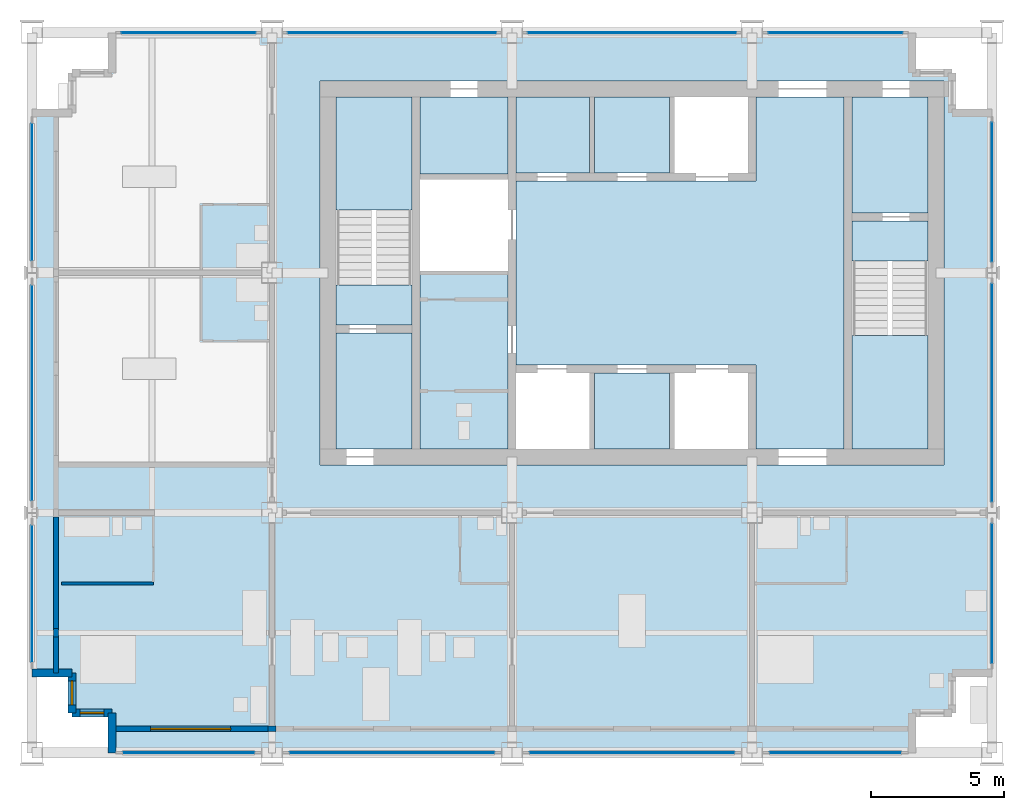
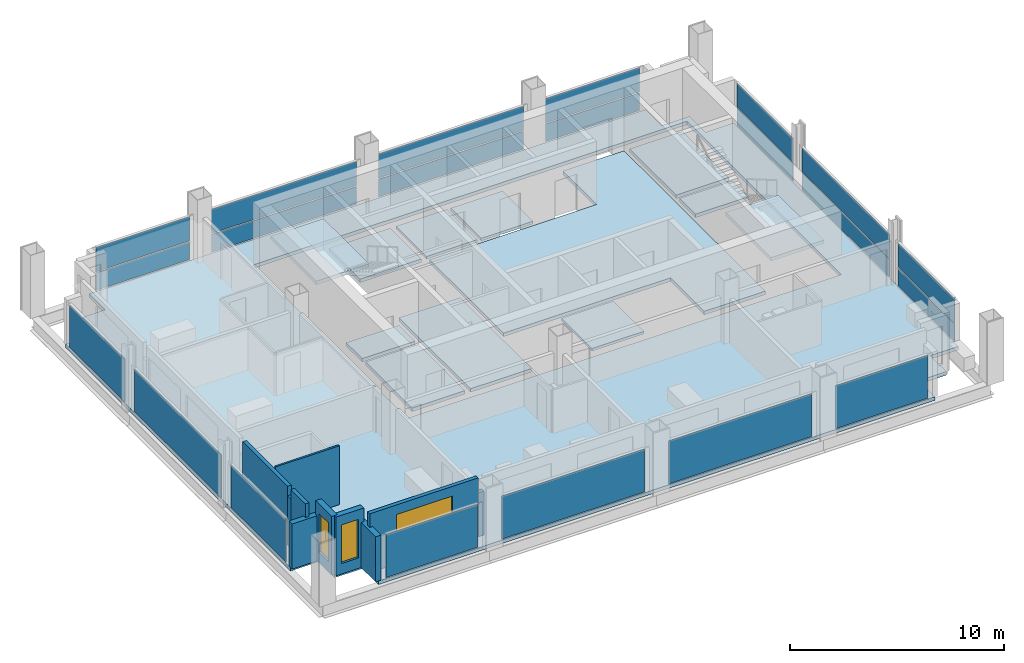
# One storey, part 5 of 11: 21 plates, 13 slabs, 10 walls, 3 windows, 3 openings, 16 elements without a shape of their own.
"""IFC4 building model written with IfcOpenShell, lengths in metres."""

from ifc_helpers import new_model, si_unit, direction, frame, frame_2d, origin, origin_2d, place, context, subcontext, project, spatial, polyline, rectangle, outline, extrude, material, layer, layer_set, type_object, element, fill, aggregate, save


model = new_model("IFC4")

# Units and contexts
model_context = context("Model", 3, precision=1e-05, world=origin(), true_north=direction((0.0, 1.0)))
body_context = subcontext(model_context, "Body", "Model", "MODEL_VIEW")
ifc_project = project(units=[si_unit("LENGTHUNIT", "METRE"), si_unit("AREAUNIT", "SQUARE_METRE"), si_unit("VOLUMEUNIT", "CUBIC_METRE"), si_unit("PLANEANGLEUNIT", "RADIAN"), si_unit("MASSUNIT", "GRAM", prefix="KILO")], contexts=[model_context])

# Site, building, storey
site_placement = place(None, origin())
site = spatial("IfcSite", under=ifc_project, at=site_placement, CompositionType="ELEMENT")
building_placement = place(site_placement, origin())
building = spatial("IfcBuilding", under=site, at=building_placement, Name="Loomwork Tower", CompositionType="ELEMENT")
storey_placement = place(building_placement, frame((0.0, 0.0, 266.199951171875)))
storey = spatial("IfcBuildingStorey", under=building, at=storey_placement, Name="L73", CompositionType="ELEMENT", Elevation=266.199951171875)

# Slabs
ifc_material_1 = material(Name="Concrete 5000 psi (34 MPa) on composite metal deck", Category="concrete")
ifc_layer_1 = layer(ifc_material_1, 0.199951171875)
ifc_layer_set_1 = layer_set([ifc_layer_1], Name="Floor slab 200")
slab_type_1 = type_object("IfcSlabType", Name="Floor slab 200", PredefinedType="FLOOR", material=ifc_layer_set_1)
slab_1_placement = place(storey_placement, frame((0.0, 0.0, -0.199951171875)))
element("IfcSlab", 1, at=slab_1_placement, inside=storey, type_object=slab_type_1, Name="Floor slab L73", PredefinedType="FLOOR", context=body_context, shape_type="SweptSolid", body=[
    extrude(outline(polyline([(3.0, 1.5), (1.5, 1.5), (1.5, 3.0), (0.0, 3.0), (0.0, 24.0), (1.5, 24.0), (1.5, 25.5), (3.0, 25.5), (3.0, 27.0), (33.0, 27.0), (33.0, 25.5), (34.5, 25.5), (34.5, 24.0), (36.0, 24.0), (36.0, 3.0), (34.5, 3.0), (34.5, 1.5), (33.0, 1.5), (33.0, 0.0), (3.0, 0.0), (3.0, 1.5)]), holes=[polyline([(10.800048828125, 11.39990234375), (10.800048828125, 11.39990234375), (10.800048828125, 10.800048828125), (34.199951171875, 10.800048828125), (34.199951171875, 11.39990234375), (34.199951171875, 11.39990234375), (34.199951171875, 24.60009765625), (34.199951171875, 25.199951171875), (10.800048828125, 25.199951171875), (10.800048828125, 24.60009765625), (10.800048828125, 11.39990234375)])]), origin(), (0.0, 0.0, 1.0), 0.199951171875),
])
slab_2_placement = place(storey_placement, frame((0.0, 0.0, -0.199951171875)))
element("IfcSlab", 2, at=slab_2_placement, inside=storey, type_object=slab_type_1, Name="Floor slab L73", PredefinedType="FLOOR", context=body_context, shape_type="SweptSolid", body=[
    extrude(outline(polyline([(30.449951171875, 24.60009765625), (30.449951171875, 11.39990234375), (27.14990234375, 11.39990234375), (27.14990234375, 14.25), (27.14990234375, 14.550048828125), (18.14990234375, 14.550048828125), (18.14990234375, 21.449951171875), (27.14990234375, 21.449951171875), (27.14990234375, 21.75), (27.14990234375, 24.60009765625), (30.449951171875, 24.60009765625)])), origin(), (0.0, 0.0, 1.0), 0.199951171875),
])
slab_3_placement = place(storey_placement, frame((0.0, 0.0, -0.199951171875)))
element("IfcSlab", 3, at=slab_3_placement, inside=storey, type_object=slab_type_1, Name="Floor slab L73", PredefinedType="FLOOR", context=body_context, shape_type="SweptSolid", body=[
    extrude(outline(polyline([(14.550048828125, 11.39990234375), (14.550048828125, 18.074951171875), (17.85009765625, 18.074951171875), (17.85009765625, 11.39990234375), (14.550048828125, 11.39990234375)])), origin(), (0.0, 0.0, 1.0), 0.199951171875),
])
slab_4_placement = place(storey_placement, frame((0.0, 0.0, -0.199951171875)))
element("IfcSlab", 4, at=slab_4_placement, inside=storey, type_object=slab_type_1, Name="Floor slab L73", PredefinedType="FLOOR", context=body_context, shape_type="SweptSolid", body=[
    extrude(outline(polyline([(33.60009765625, 20.25), (30.75, 20.25), (30.75, 24.60009765625), (33.60009765625, 24.60009765625), (33.60009765625, 20.25)])), origin(), (0.0, 0.0, 1.0), 0.199951171875),
])
slab_5_placement = place(storey_placement, frame((0.0, 0.0, -0.199951171875)))
element("IfcSlab", 5, at=slab_5_placement, inside=storey, type_object=slab_type_1, Name="Floor slab L73", PredefinedType="FLOOR", context=body_context, shape_type="SweptSolid", body=[
    extrude(outline(polyline([(14.25, 15.75), (14.25, 11.39990234375), (11.39990234375, 11.39990234375), (11.39990234375, 15.75), (14.25, 15.75)])), origin(), (0.0, 0.0, 1.0), 0.199951171875),
])
slab_6_placement = place(storey_placement, frame((0.0, 0.0, -0.199951171875)))
element("IfcSlab", 6, at=slab_6_placement, inside=storey, type_object=slab_type_1, Name="Floor slab L73", PredefinedType="FLOOR", context=body_context, shape_type="SweptSolid", body=[
    extrude(outline(polyline([(14.550048828125, 21.699951171875), (14.550048828125, 24.60009765625), (17.85009765625, 24.60009765625), (17.85009765625, 21.699951171875), (14.550048828125, 21.699951171875)])), origin(), (0.0, 0.0, 1.0), 0.199951171875),
])

# Curtain wall, plate
ifc_material_2 = material(Name="Aluminium curtain wall frame", Category="aluminium")
curtain_wall_type_1 = type_object("IfcCurtainWallType", Name="Outer skin glazing suites", PredefinedType="NOTDEFINED", material=ifc_material_2)
curtain_wall_1_placement = place(storey_placement, origin())
curtain_wall_1 = element("IfcCurtainWall", 7, at=curtain_wall_1_placement, inside=storey, type_object=curtain_wall_type_1, Name="Outer skin glazing suites cw/S-0", PredefinedType="NOTDEFINED")
ifc_material_3 = material(Name="Clear laminated glass", Category="glass")
ifc_layer_2 = layer(ifc_material_3, 0.02392578125)
ifc_layer_set_2 = layer_set([ifc_layer_2], Name="Outer skin glazing suites panel")
plate_type_1 = type_object("IfcPlateType", Name="Outer skin glazing suites panel", PredefinedType="CURTAIN_PANEL", material=ifc_layer_set_2)
plate_1_placement = place(storey_placement, frame((5.875, 0.0, 0.06494140625), z_axis=(0.0, 0.0, 1.0), x_axis=(1.0, 0.0, 0.0)))
plate_1 = element("IfcPlate", 8, at=plate_1_placement, type_object=plate_type_1, Name="CW2 panel 1.1", PredefinedType="CURTAIN_PANEL", context=body_context, shape_type="SweptSolid", body=[
    extrude(rectangle(XDim=4.949951171875, YDim=0.02392578125, at=origin_2d()), origin(), (0.0, 0.0, 1.0), 2.440185546875),
])
aggregate(curtain_wall_1, [plate_1])

curtain_wall_2_placement = place(storey_placement, origin())
curtain_wall_2 = element("IfcCurtainWall", 9, at=curtain_wall_2_placement, inside=storey, type_object=curtain_wall_type_1, Name="Outer skin glazing suites cw/S-9", PredefinedType="NOTDEFINED")
plate_2_placement = place(storey_placement, frame((13.5, 0.0, 0.06494140625), z_axis=(0.0, 0.0, 1.0), x_axis=(1.0, 0.0, 0.0)))
plate_2 = element("IfcPlate", 10, at=plate_2_placement, type_object=plate_type_1, Name="CW2 panel 1.1", PredefinedType="CURTAIN_PANEL", context=body_context, shape_type="SweptSolid", body=[
    extrude(rectangle(XDim=7.699951171875, YDim=0.02392578125, at=origin_2d()), origin(), (0.0, 0.0, 1.0), 2.440185546875),
])
aggregate(curtain_wall_2, [plate_2])

curtain_wall_3_placement = place(storey_placement, origin())
curtain_wall_3 = element("IfcCurtainWall", 11, at=curtain_wall_3_placement, inside=storey, type_object=curtain_wall_type_1, Name="Outer skin glazing suites cw/S-18", PredefinedType="NOTDEFINED")
plate_3_placement = place(storey_placement, frame((22.5, 0.0, 0.06494140625), z_axis=(0.0, 0.0, 1.0), x_axis=(1.0, 0.0, 0.0)))
plate_3 = element("IfcPlate", 12, at=plate_3_placement, type_object=plate_type_1, Name="CW2 panel 1.1", PredefinedType="CURTAIN_PANEL", context=body_context, shape_type="SweptSolid", body=[
    extrude(rectangle(XDim=7.699951171875, YDim=0.02392578125, at=origin_2d()), origin(), (0.0, 0.0, 1.0), 2.440185546875),
])
aggregate(curtain_wall_3, [plate_3])

curtain_wall_4_placement = place(storey_placement, origin())
curtain_wall_4 = element("IfcCurtainWall", 13, at=curtain_wall_4_placement, inside=storey, type_object=curtain_wall_type_1, Name="Outer skin glazing suites cw/S-27", PredefinedType="NOTDEFINED")
plate_4_placement = place(storey_placement, frame((30.125, 0.0, 0.06494140625), z_axis=(0.0, 0.0, 1.0), x_axis=(1.0, 0.0, 0.0)))
plate_4 = element("IfcPlate", 14, at=plate_4_placement, type_object=plate_type_1, Name="CW2 panel 1.1", PredefinedType="CURTAIN_PANEL", context=body_context, shape_type="SweptSolid", body=[
    extrude(rectangle(XDim=4.949951171875, YDim=0.02392578125, at=origin_2d()), origin(), (0.0, 0.0, 1.0), 2.440185546875),
])
aggregate(curtain_wall_4, [plate_4])

curtain_wall_5_placement = place(storey_placement, origin())
curtain_wall_5 = element("IfcCurtainWall", 15, at=curtain_wall_5_placement, inside=storey, type_object=curtain_wall_type_1, Name="Outer skin glazing suites cw/W-0", PredefinedType="NOTDEFINED")
plate_5_placement = place(storey_placement, frame((0.0, 5.970947265625, 0.06494140625), z_axis=(0.0, 0.0, 1.0), x_axis=(0.0, -1.0, 0.0)))
plate_5 = element("IfcPlate", 16, at=plate_5_placement, type_object=plate_type_1, Name="CW2 panel 1.1", PredefinedType="CURTAIN_PANEL", context=body_context, shape_type="SweptSolid", body=[
    extrude(rectangle(XDim=5.1416015625, YDim=0.02392578125, at=origin_2d()), origin(), (0.0, 0.0, 1.0), 2.440185546875),
])
aggregate(curtain_wall_5, [plate_5])

curtain_wall_6_placement = place(storey_placement, origin())
curtain_wall_6 = element("IfcCurtainWall", 17, at=curtain_wall_6_placement, inside=storey, type_object=curtain_wall_type_1, Name="Outer skin glazing suites cw/W-9", PredefinedType="NOTDEFINED")
plate_6_placement = place(storey_placement, frame((0.0, 13.5, 0.06494140625), z_axis=(0.0, 0.0, 1.0), x_axis=(0.0, -1.0, 0.0)))
plate_6 = element("IfcPlate", 18, at=plate_6_placement, type_object=plate_type_1, Name="CW2 panel 1.1", PredefinedType="CURTAIN_PANEL", context=body_context, shape_type="SweptSolid", body=[
    extrude(rectangle(XDim=8.08349609375, YDim=0.02392578125, at=origin_2d()), origin(), (0.0, 0.0, 1.0), 2.440185546875),
])
aggregate(curtain_wall_6, [plate_6])

curtain_wall_7_placement = place(storey_placement, origin())
curtain_wall_7 = element("IfcCurtainWall", 19, at=curtain_wall_7_placement, inside=storey, type_object=curtain_wall_type_1, Name="Outer skin glazing suites cw/W-18", PredefinedType="NOTDEFINED")
plate_7_placement = place(storey_placement, frame((0.0, 21.029052734375, 0.06494140625), z_axis=(0.0, 0.0, 1.0), x_axis=(0.0, -1.0, 0.0)))
plate_7 = element("IfcPlate", 20, at=plate_7_placement, type_object=plate_type_1, Name="CW2 panel 1.1", PredefinedType="CURTAIN_PANEL", context=body_context, shape_type="SweptSolid", body=[
    extrude(rectangle(XDim=5.1416015625, YDim=0.02392578125, at=origin_2d()), origin(), (0.0, 0.0, 1.0), 2.440185546875),
])
aggregate(curtain_wall_7, [plate_7])

# Slabs
ifc_material_4 = material(Name="Concrete 5000 psi (34 MPa) on composite metal deck", Category="concrete")
ifc_layer_3 = layer(ifc_material_4, 0.14990234375)
ifc_layer_set_3 = layer_set([ifc_layer_3], Name="Shaft infill floor 150")
slab_type_2 = type_object("IfcSlabType", Name="Shaft infill floor 150", PredefinedType="FLOOR", material=ifc_layer_set_3)
slab_7_placement = place(storey_placement, frame((0.0, 0.0, -0.14990234375)))
element("IfcSlab", 21, at=slab_7_placement, inside=storey, type_object=slab_type_2, Name="Shaft infill floor LS1 L73", PredefinedType="FLOOR", context=body_context, shape_type="SweptSolid", body=[
    extrude(outline(polyline([(18.14990234375, 21.75), (20.89990234375, 21.75), (20.89990234375, 24.60009765625), (18.14990234375, 24.60009765625), (18.14990234375, 21.75)])), origin(), (0.0, 0.0, 1.0), 0.14990234375),
])
slab_8_placement = place(storey_placement, frame((0.0, 0.0, -0.14990234375)))
element("IfcSlab", 22, at=slab_8_placement, inside=storey, type_object=slab_type_2, Name="Shaft infill floor LS2 L73", PredefinedType="FLOOR", context=body_context, shape_type="SweptSolid", body=[
    extrude(outline(polyline([(21.10009765625, 21.75), (23.89990234375, 21.75), (23.89990234375, 24.60009765625), (21.10009765625, 24.60009765625), (21.10009765625, 21.75)])), origin(), (0.0, 0.0, 1.0), 0.14990234375),
])
slab_9_placement = place(storey_placement, frame((0.0, 0.0, -0.14990234375)))
element("IfcSlab", 23, at=slab_9_placement, inside=storey, type_object=slab_type_2, Name="Shaft infill floor S2 L73", PredefinedType="FLOOR", context=body_context, shape_type="SweptSolid", body=[
    extrude(outline(polyline([(21.10009765625, 11.39990234375), (23.89990234375, 11.39990234375), (23.89990234375, 14.25), (21.10009765625, 14.25), (21.10009765625, 11.39990234375)])), origin(), (0.0, 0.0, 1.0), 0.14990234375),
])

# Curtain wall, plates
ifc_material_5 = material(Name="Aluminium curtain wall frame", Category="aluminium")
curtain_wall_type_2 = type_object("IfcCurtainWallType", Name="Single skin glazing corridor", PredefinedType="NOTDEFINED", material=ifc_material_5)
curtain_wall_8_placement = place(storey_placement, origin())
curtain_wall_8 = element("IfcCurtainWall", 24, at=curtain_wall_8_placement, inside=storey, type_object=curtain_wall_type_2, Name="Single skin glazing corridor cw/N-0", PredefinedType="NOTDEFINED")
ifc_material_6 = material(Name="Clear insulated glass", Category="glass")
ifc_layer_4 = layer(ifc_material_6, 0.031982421875)
ifc_layer_set_4 = layer_set([ifc_layer_4], Name="Single skin glazing corridor panel")
plate_type_2 = type_object("IfcPlateType", Name="Single skin glazing corridor panel", PredefinedType="CURTAIN_PANEL", material=ifc_layer_set_4)
plate_8_placement = place(storey_placement, frame((5.875, 27.0, 0.065185546875), z_axis=(0.0, 0.0, 1.0), x_axis=(-1.0, 0.0, 0.0)))
plate_8 = element("IfcPlate", 25, at=plate_8_placement, type_object=plate_type_2, Name="CW3 panel 1.1", PredefinedType="CURTAIN_PANEL", context=body_context, shape_type="SweptSolid", body=[
    extrude(rectangle(XDim=5.050048828125, YDim=0.031982421875, at=origin_2d()), origin(), (0.0, 0.0, 1.0), 1.00244140625),
])
plate_9_placement = place(storey_placement, frame((5.875, 27.0, 1.13232421875), z_axis=(0.0, 0.0, 1.0), x_axis=(-1.0, 0.0, 0.0)))
plate_9 = element("IfcPlate", 26, at=plate_9_placement, type_object=plate_type_2, Name="CW3 panel 1.2", PredefinedType="CURTAIN_PANEL", context=body_context, shape_type="SweptSolid", body=[
    extrude(rectangle(XDim=5.050048828125, YDim=0.031982421875, at=origin_2d()), origin(), (0.0, 0.0, 1.0), 1.372802734375),
])
aggregate(curtain_wall_8, [plate_8, plate_9])

curtain_wall_9_placement = place(storey_placement, origin())
curtain_wall_9 = element("IfcCurtainWall", 27, at=curtain_wall_9_placement, inside=storey, type_object=curtain_wall_type_2, Name="Single skin glazing corridor cw/N-9", PredefinedType="NOTDEFINED")
plate_10_placement = place(storey_placement, frame((13.5, 27.0, 0.065185546875), z_axis=(0.0, 0.0, 1.0), x_axis=(-1.0, 0.0, 0.0)))
plate_10 = element("IfcPlate", 28, at=plate_10_placement, type_object=plate_type_2, Name="CW3 panel 1.1", PredefinedType="CURTAIN_PANEL", context=body_context, shape_type="SweptSolid", body=[
    extrude(rectangle(XDim=7.800048828125, YDim=0.031982421875, at=origin_2d()), origin(), (0.0, 0.0, 1.0), 1.00244140625),
])
plate_11_placement = place(storey_placement, frame((13.5, 27.0, 1.13232421875), z_axis=(0.0, 0.0, 1.0), x_axis=(-1.0, 0.0, 0.0)))
plate_11 = element("IfcPlate", 29, at=plate_11_placement, type_object=plate_type_2, Name="CW3 panel 1.2", PredefinedType="CURTAIN_PANEL", context=body_context, shape_type="SweptSolid", body=[
    extrude(rectangle(XDim=7.800048828125, YDim=0.031982421875, at=origin_2d()), origin(), (0.0, 0.0, 1.0), 1.372802734375),
])
aggregate(curtain_wall_9, [plate_10, plate_11])

curtain_wall_10_placement = place(storey_placement, origin())
curtain_wall_10 = element("IfcCurtainWall", 30, at=curtain_wall_10_placement, inside=storey, type_object=curtain_wall_type_2, Name="Single skin glazing corridor cw/N-18", PredefinedType="NOTDEFINED")
plate_12_placement = place(storey_placement, frame((22.5, 27.0, 0.065185546875), z_axis=(0.0, 0.0, 1.0), x_axis=(-1.0, 0.0, 0.0)))
plate_12 = element("IfcPlate", 31, at=plate_12_placement, type_object=plate_type_2, Name="CW3 panel 1.1", PredefinedType="CURTAIN_PANEL", context=body_context, shape_type="SweptSolid", body=[
    extrude(rectangle(XDim=7.800048828125, YDim=0.031982421875, at=origin_2d()), origin(), (0.0, 0.0, 1.0), 1.00244140625),
])
plate_13_placement = place(storey_placement, frame((22.5, 27.0, 1.13232421875), z_axis=(0.0, 0.0, 1.0), x_axis=(-1.0, 0.0, 0.0)))
plate_13 = element("IfcPlate", 32, at=plate_13_placement, type_object=plate_type_2, Name="CW3 panel 1.2", PredefinedType="CURTAIN_PANEL", context=body_context, shape_type="SweptSolid", body=[
    extrude(rectangle(XDim=7.800048828125, YDim=0.031982421875, at=origin_2d()), origin(), (0.0, 0.0, 1.0), 1.372802734375),
])
aggregate(curtain_wall_10, [plate_12, plate_13])

curtain_wall_11_placement = place(storey_placement, origin())
curtain_wall_11 = element("IfcCurtainWall", 33, at=curtain_wall_11_placement, inside=storey, type_object=curtain_wall_type_2, Name="Single skin glazing corridor cw/N-27", PredefinedType="NOTDEFINED")
plate_14_placement = place(storey_placement, frame((30.125, 27.0, 0.065185546875), z_axis=(0.0, 0.0, 1.0), x_axis=(-1.0, 0.0, 0.0)))
plate_14 = element("IfcPlate", 34, at=plate_14_placement, type_object=plate_type_2, Name="CW3 panel 1.1", PredefinedType="CURTAIN_PANEL", context=body_context, shape_type="SweptSolid", body=[
    extrude(rectangle(XDim=5.050048828125, YDim=0.031982421875, at=origin_2d()), origin(), (0.0, 0.0, 1.0), 1.00244140625),
])
plate_15_placement = place(storey_placement, frame((30.125, 27.0, 1.13232421875), z_axis=(0.0, 0.0, 1.0), x_axis=(-1.0, 0.0, 0.0)))
plate_15 = element("IfcPlate", 35, at=plate_15_placement, type_object=plate_type_2, Name="CW3 panel 1.2", PredefinedType="CURTAIN_PANEL", context=body_context, shape_type="SweptSolid", body=[
    extrude(rectangle(XDim=5.050048828125, YDim=0.031982421875, at=origin_2d()), origin(), (0.0, 0.0, 1.0), 1.372802734375),
])
aggregate(curtain_wall_11, [plate_14, plate_15])

curtain_wall_12_placement = place(storey_placement, origin())
curtain_wall_12 = element("IfcCurtainWall", 36, at=curtain_wall_12_placement, inside=storey, type_object=curtain_wall_type_2, Name="Single skin glazing corridor cw/E-0", PredefinedType="NOTDEFINED")
plate_16_placement = place(storey_placement, frame((36.0, 5.970947265625, 0.065185546875), z_axis=(0.0, 0.0, 1.0), x_axis=(0.0, 1.0, 0.0)))
plate_16 = element("IfcPlate", 37, at=plate_16_placement, type_object=plate_type_2, Name="CW3 panel 1.1", PredefinedType="CURTAIN_PANEL", context=body_context, shape_type="SweptSolid", body=[
    extrude(rectangle(XDim=5.24169921875, YDim=0.031982421875, at=origin_2d()), origin(), (0.0, 0.0, 1.0), 1.00244140625),
])
plate_17_placement = place(storey_placement, frame((36.0, 5.970947265625, 1.13232421875), z_axis=(0.0, 0.0, 1.0), x_axis=(0.0, 1.0, 0.0)))
plate_17 = element("IfcPlate", 38, at=plate_17_placement, type_object=plate_type_2, Name="CW3 panel 1.2", PredefinedType="CURTAIN_PANEL", context=body_context, shape_type="SweptSolid", body=[
    extrude(rectangle(XDim=5.24169921875, YDim=0.031982421875, at=origin_2d()), origin(), (0.0, 0.0, 1.0), 1.372802734375),
])
aggregate(curtain_wall_12, [plate_16, plate_17])

curtain_wall_13_placement = place(storey_placement, origin())
curtain_wall_13 = element("IfcCurtainWall", 39, at=curtain_wall_13_placement, inside=storey, type_object=curtain_wall_type_2, Name="Single skin glazing corridor cw/E-9", PredefinedType="NOTDEFINED")
plate_18_placement = place(storey_placement, frame((36.0, 13.5, 0.065185546875), z_axis=(0.0, 0.0, 1.0), x_axis=(0.0, 1.0, 0.0)))
plate_18 = element("IfcPlate", 40, at=plate_18_placement, type_object=plate_type_2, Name="CW3 panel 1.1", PredefinedType="CURTAIN_PANEL", context=body_context, shape_type="SweptSolid", body=[
    extrude(rectangle(XDim=8.183349609375, YDim=0.031982421875, at=origin_2d()), origin(), (0.0, 0.0, 1.0), 1.00244140625),
])
plate_19_placement = place(storey_placement, frame((36.0, 13.5, 1.13232421875), z_axis=(0.0, 0.0, 1.0), x_axis=(0.0, 1.0, 0.0)))
plate_19 = element("IfcPlate", 41, at=plate_19_placement, type_object=plate_type_2, Name="CW3 panel 1.2", PredefinedType="CURTAIN_PANEL", context=body_context, shape_type="SweptSolid", body=[
    extrude(rectangle(XDim=8.183349609375, YDim=0.031982421875, at=origin_2d()), origin(), (0.0, 0.0, 1.0), 1.372802734375),
])
aggregate(curtain_wall_13, [plate_18, plate_19])

curtain_wall_14_placement = place(storey_placement, origin())
curtain_wall_14 = element("IfcCurtainWall", 42, at=curtain_wall_14_placement, inside=storey, type_object=curtain_wall_type_2, Name="Single skin glazing corridor cw/E-18", PredefinedType="NOTDEFINED")
plate_20_placement = place(storey_placement, frame((36.0, 21.029052734375, 0.065185546875), z_axis=(0.0, 0.0, 1.0), x_axis=(0.0, 1.0, 0.0)))
plate_20 = element("IfcPlate", 43, at=plate_20_placement, type_object=plate_type_2, Name="CW3 panel 1.1", PredefinedType="CURTAIN_PANEL", context=body_context, shape_type="SweptSolid", body=[
    extrude(rectangle(XDim=5.24169921875, YDim=0.031982421875, at=origin_2d()), origin(), (0.0, 0.0, 1.0), 1.00244140625),
])
plate_21_placement = place(storey_placement, frame((36.0, 21.029052734375, 1.13232421875), z_axis=(0.0, 0.0, 1.0), x_axis=(0.0, 1.0, 0.0)))
plate_21 = element("IfcPlate", 44, at=plate_21_placement, type_object=plate_type_2, Name="CW3 panel 1.2", PredefinedType="CURTAIN_PANEL", context=body_context, shape_type="SweptSolid", body=[
    extrude(rectangle(XDim=5.24169921875, YDim=0.031982421875, at=origin_2d()), origin(), (0.0, 0.0, 1.0), 1.372802734375),
])
aggregate(curtain_wall_14, [plate_20, plate_21])

# Stair, slabs
ifc_material_7 = material(Name="Concrete 5000 psi (34 MPa) precast stair", Category="concrete")
stair_type_1 = type_object("IfcStairType", Name="Stair ST-A 22 risers 2850 wide", PredefinedType="HALF_TURN_STAIR", material=ifc_material_7)
stair_1_placement = place(storey_placement, origin())
stair_1 = element("IfcStair", 45, at=stair_1_placement, inside=storey, type_object=stair_type_1, Name="Stair A L73", PredefinedType="HALF_TURN_STAIR")
ifc_material_8 = material(Name="Concrete 5000 psi (34 MPa)", Category="concrete")
ifc_layer_5 = layer(ifc_material_8, 0.199951171875)
ifc_layer_set_5 = layer_set([ifc_layer_5], Name="Stair landing 200")
slab_type_3 = type_object("IfcSlabType", Name="Stair landing 200", PredefinedType="LANDING", material=ifc_layer_set_5)
slab_10_placement = place(storey_placement, frame((0.0, 0.0, -0.199951171875)))
slab_10 = element("IfcSlab", 46, at=slab_10_placement, type_object=slab_type_3, Name="ST-A landing 1", PredefinedType="LANDING", context=body_context, shape_type="SweptSolid", body=[
    extrude(outline(polyline([(11.39990234375, 16.050048828125), (14.25, 16.050048828125), (14.25, 17.550048828125), (11.39990234375, 17.550048828125), (11.39990234375, 16.050048828125)])), origin(), (0.0, 0.0, 1.0), 0.199951171875),
])
slab_11_placement = place(storey_placement, frame((0.0, 0.0, 1.60009765625)))
slab_11 = element("IfcSlab", 47, at=slab_11_placement, type_object=slab_type_3, Name="ST-A landing 2", PredefinedType="LANDING", context=body_context, shape_type="SweptSolid", body=[
    extrude(outline(polyline([(11.39990234375, 20.35009765625), (14.25, 20.35009765625), (14.25, 24.60009765625), (11.39990234375, 24.60009765625), (11.39990234375, 20.35009765625)])), origin(), (0.0, 0.0, 1.0), 0.199951171875),
])
aggregate(stair_1, [slab_10, slab_11])

ifc_material_9 = material(Name="Concrete 5000 psi (34 MPa) precast stair", Category="concrete")
stair_type_2 = type_object("IfcStairType", Name="Stair ST-B 22 risers 2850 wide", PredefinedType="HALF_TURN_STAIR", material=ifc_material_9)
stair_2_placement = place(storey_placement, origin())
stair_2 = element("IfcStair", 48, at=stair_2_placement, inside=storey, type_object=stair_type_2, Name="Stair B L73", PredefinedType="HALF_TURN_STAIR")
slab_12_placement = place(storey_placement, frame((0.0, 0.0, -0.199951171875)))
slab_12 = element("IfcSlab", 49, at=slab_12_placement, type_object=slab_type_3, Name="ST-B landing 1", PredefinedType="LANDING", context=body_context, shape_type="SweptSolid", body=[
    extrude(outline(polyline([(30.75, 18.449951171875), (33.60009765625, 18.449951171875), (33.60009765625, 19.949951171875), (30.75, 19.949951171875), (30.75, 18.449951171875)])), origin(), (0.0, 0.0, 1.0), 0.199951171875),
])
slab_13_placement = place(storey_placement, frame((0.0, 0.0, 1.60009765625)))
slab_13 = element("IfcSlab", 50, at=slab_13_placement, type_object=slab_type_3, Name="ST-B landing 2", PredefinedType="LANDING", context=body_context, shape_type="SweptSolid", body=[
    extrude(outline(polyline([(30.75, 11.39990234375), (33.60009765625, 11.39990234375), (33.60009765625, 15.64990234375), (30.75, 15.64990234375), (30.75, 11.39990234375)])), origin(), (0.0, 0.0, 1.0), 0.199951171875),
])
aggregate(stair_2, [slab_12, slab_13])

# Wall
ifc_material_10 = material(Name="Cement board on steel studs", Category="steel")
ifc_layer_6 = layer(ifc_material_10, 0.10009765625)
ifc_layer_set_6 = layer_set([ifc_layer_6], Name="En-suite partition 100")
wall_type_1 = type_object("IfcWallType", Name="En-suite partition 100", PredefinedType="PARTITIONING", material=ifc_layer_set_6)
wall_1_placement = place(storey_placement, frame((1.10009765625, 6.35009765625, 0.0), z_axis=(0.0, 0.0, 1.0), x_axis=(1.0, 0.0, 0.0)))
element("IfcWall", 51, at=wall_1_placement, inside=storey, type_object=wall_type_1, Name="En-suite wall L73 room 1", PredefinedType="PARTITIONING", context=body_context, shape_type="SweptSolid", body=[
    extrude(rectangle(XDim=3.449951171875, YDim=0.10009765625, at=frame_2d((1.72509765625, 0.0))), origin(), (0.0, 0.0, 1.0), 3.35009765625),
])

# Wall, opening, window
ifc_material_11 = material(Name="Insulated steel stud wall with gypsum lining", Category="steel")
ifc_layer_7 = layer(ifc_material_11, 0.199951171875)
ifc_layer_set_7 = layer_set([ifc_layer_7], Name="Inner skin wall 200")
wall_type_2 = type_object("IfcWallType", Name="Inner skin wall 200", PredefinedType="SOLIDWALL", material=ifc_layer_set_7)
wall_2_placement = place(storey_placement, frame((3.0, 0.89990234375, 0.0), z_axis=(0.0, 0.0, 1.0), x_axis=(1.0, 0.0, 0.0)))
wall_2 = element("IfcWall", 52, at=wall_2_placement, inside=storey, type_object=wall_type_2, Name="Inner skin wall S", PredefinedType="SOLIDWALL", context=body_context, shape_type="SweptSolid", body=[
    extrude(rectangle(XDim=5.851806640625, YDim=0.199951171875, at=frame_2d((2.92578125, 0.0))), origin(), (0.0, 0.0, 1.0), 3.35009765625),
])
opening_1_placement = place(wall_2_placement, frame((1.449951171875, 0.0, 0.60009765625)))
opening_1 = element("IfcOpeningElement", 53, at=opening_1_placement, cuts=wall_2, Name="Opening CH1", PredefinedType="OPENING", context=body_context, shape_type="SweptSolid", body=[
    extrude(rectangle(XDim=3.0, YDim=2.199951171875, at=frame_2d((1.5, 1.10009765625))), frame((0.0, 0.10986328125, 0.0), z_axis=(0.0, -1.0, 0.0), x_axis=(1.0, 0.0, 0.0)), (0.0, 0.0, 1.0), 0.219970703125),
])
ifc_material_12 = material(Name="Aluminium frame with clear insulated glass", Category="aluminium")
window_type_1 = type_object("IfcWindowType", Name="Chicago window 3000", PartitioningType="TRIPLE_PANEL_VERTICAL", PredefinedType="WINDOW", material=ifc_material_12)
window_1_placement = place(opening_1_placement, origin())
window_1 = element("IfcWindow", 54, at=window_1_placement, inside=storey, type_object=window_type_1, Name="Chicago window L73 bay 1", OverallHeight=2.199951171875, OverallWidth=3.0, PartitioningType="TRIPLE_PANEL_VERTICAL", PredefinedType="WINDOW", context=body_context, shape_type="SweptSolid", body=[
    extrude(rectangle(XDim=3.0, YDim=2.199951171875, at=frame_2d((1.5, 1.10009765625))), frame((0.0, 0.030029296875, 0.0), z_axis=(0.0, -1.0, 0.0), x_axis=(1.0, 0.0, 0.0)), (0.0, 0.0, 1.0), 0.06005859375),
])
fill(opening_1, window_1)

# Walls
wall_3_placement = place(storey_placement, frame((0.89990234375, 3.0, 0.0), z_axis=(0.0, 0.0, 1.0), x_axis=(0.0, 1.0, 0.0)))
element("IfcWall", 55, at=wall_3_placement, inside=storey, type_object=wall_type_2, Name="Inner skin wall W", PredefinedType="SOLIDWALL", context=body_context, shape_type="SweptSolid", body=[
    extrude(rectangle(XDim=1.341796875, YDim=0.199951171875, at=frame_2d((0.6708984375, 0.0))), origin(), (0.0, 0.0, 1.0), 3.35009765625),
])
wall_4_placement = place(storey_placement, frame((8.851806640625, 0.89990234375, 0.0), z_axis=(0.0, 0.0, 1.0), x_axis=(1.0, 0.0, 0.0)))
element("IfcWall", 56, at=wall_4_placement, inside=storey, type_object=wall_type_2, Name="Inner skin wall S bay 2", PredefinedType="SOLIDWALL", context=body_context, shape_type="SweptSolid", body=[
    extrude(rectangle(XDim=0.29638671875, YDim=0.199951171875, at=frame_2d((0.148193359375, 0.0))), origin(), (0.0, 0.0, 1.0), 2.490966796875),
])
wall_5_placement = place(storey_placement, frame((0.89990234375, 4.341796875, 0.0), z_axis=(0.0, 0.0, 1.0), x_axis=(0.0, 1.0, 0.0)))
element("IfcWall", 57, at=wall_5_placement, inside=storey, type_object=wall_type_2, Name="Inner skin wall W bay 2", PredefinedType="SOLIDWALL", context=body_context, shape_type="SweptSolid", body=[
    extrude(rectangle(XDim=0.31640625, YDim=0.199951171875, at=frame_2d((0.158203125, 0.0))), origin(), (0.0, 0.0, 1.0), 2.80615234375),
])
wall_6_placement = place(storey_placement, frame((0.89990234375, 4.658203125, 0.0), z_axis=(0.0, 0.0, 1.0), x_axis=(0.0, 1.0, 0.0)))
element("IfcWall", 58, at=wall_6_placement, inside=storey, type_object=wall_type_2, Name="Inner skin wall W bay 3", PredefinedType="SOLIDWALL", context=body_context, shape_type="SweptSolid", body=[
    extrude(rectangle(XDim=4.193603515625, YDim=0.199951171875, at=frame_2d((2.0966796875, 0.0))), origin(), (0.0, 0.0, 1.0), 3.35009765625),
])
ifc_material_13 = material(Name="Limestone on concrete masonry", Category="masonry")
ifc_layer_8 = layer(ifc_material_13, 0.300048828125)
ifc_layer_set_8 = layer_set([ifc_layer_8], Name="Limestone corner wall 300")
wall_type_3 = type_object("IfcWallType", Name="Limestone corner wall 300", PredefinedType="SOLIDWALL", material=ifc_layer_set_8)
wall_7_placement = place(storey_placement, frame((0.0, 3.0, 0.0), z_axis=(0.0, 0.0, 1.0), x_axis=(1.0, 0.0, 0.0)))
element("IfcWall", 59, at=wall_7_placement, inside=storey, type_object=wall_type_3, Name="Stone corner wall SW 1", PredefinedType="SOLIDWALL", context=body_context, shape_type="SweptSolid", body=[
    extrude(rectangle(XDim=1.5, YDim=0.300048828125, at=frame_2d((0.75, 0.0))), origin(), (0.0, 0.0, 1.0), 2.570068359375),
])

# Wall, opening, window
wall_8_placement = place(storey_placement, frame((1.5, 3.0, 0.0), z_axis=(0.0, 0.0, 1.0), x_axis=(0.0, -1.0, 0.0)))
wall_8 = element("IfcWall", 60, at=wall_8_placement, inside=storey, type_object=wall_type_3, Name="Stone corner wall SW 2", PredefinedType="SOLIDWALL", context=body_context, shape_type="SweptSolid", body=[
    extrude(rectangle(XDim=1.5, YDim=0.300048828125, at=frame_2d((0.75, 0.0))), origin(), (0.0, 0.0, 1.0), 3.35009765625),
])
opening_2_placement = place(wall_8_placement, frame((0.300048828125, 0.0, 0.60009765625)))
opening_2 = element("IfcOpeningElement", 61, at=opening_2_placement, cuts=wall_8, Name="Opening CH2", PredefinedType="OPENING", context=body_context, shape_type="SweptSolid", body=[
    extrude(rectangle(XDim=0.89990234375, YDim=2.199951171875, at=frame_2d((0.449951171875, 1.10009765625))), frame((0.0, 0.159912109375, 0.0), z_axis=(0.0, -1.0, 0.0), x_axis=(1.0, 0.0, 0.0)), (0.0, 0.0, 1.0), 0.320068359375),
])
ifc_material_14 = material(Name="Aluminium frame with clear insulated glass", Category="aluminium")
window_type_2 = type_object("IfcWindowType", Name="Corner window 900", PartitioningType="SINGLE_PANEL", PredefinedType="WINDOW", material=ifc_material_14)
window_2_placement = place(opening_2_placement, origin())
window_2 = element("IfcWindow", 62, at=window_2_placement, inside=storey, type_object=window_type_2, Name="Corner window SW", OverallHeight=2.199951171875, OverallWidth=0.89990234375, PartitioningType="SINGLE_PANEL", PredefinedType="WINDOW", context=body_context, shape_type="SweptSolid", body=[
    extrude(rectangle(XDim=0.89990234375, YDim=2.199951171875, at=frame_2d((0.449951171875, 1.10009765625))), frame((0.0, 0.030029296875, 0.0), z_axis=(0.0, -1.0, 0.0), x_axis=(1.0, 0.0, 0.0)), (0.0, 0.0, 1.0), 0.06005859375),
])
fill(opening_2, window_2)

wall_9_placement = place(storey_placement, frame((1.5, 1.5, 0.0), z_axis=(0.0, 0.0, 1.0), x_axis=(1.0, 0.0, 0.0)))
wall_9 = element("IfcWall", 63, at=wall_9_placement, inside=storey, type_object=wall_type_3, Name="Stone corner wall SW 3", PredefinedType="SOLIDWALL", context=body_context, shape_type="SweptSolid", body=[
    extrude(rectangle(XDim=1.5, YDim=0.300048828125, at=frame_2d((0.75, 0.0))), origin(), (0.0, 0.0, 1.0), 3.35009765625),
])
opening_3_placement = place(wall_9_placement, frame((0.300048828125, 0.0, 0.60009765625)))
opening_3 = element("IfcOpeningElement", 64, at=opening_3_placement, cuts=wall_9, Name="Opening CH2", PredefinedType="OPENING", context=body_context, shape_type="SweptSolid", body=[
    extrude(rectangle(XDim=0.89990234375, YDim=2.199951171875, at=frame_2d((0.449951171875, 1.10009765625))), frame((0.0, 0.159912109375, 0.0), z_axis=(0.0, -1.0, 0.0), x_axis=(1.0, 0.0, 0.0)), (0.0, 0.0, 1.0), 0.320068359375),
])
window_3_placement = place(opening_3_placement, origin())
window_3 = element("IfcWindow", 65, at=window_3_placement, inside=storey, type_object=window_type_2, Name="Corner window SW", OverallHeight=2.199951171875, OverallWidth=0.89990234375, PartitioningType="SINGLE_PANEL", PredefinedType="WINDOW", context=body_context, shape_type="SweptSolid", body=[
    extrude(rectangle(XDim=0.89990234375, YDim=2.199951171875, at=frame_2d((0.449951171875, 1.10009765625))), frame((0.0, 0.030029296875, 0.0), z_axis=(0.0, -1.0, 0.0), x_axis=(1.0, 0.0, 0.0)), (0.0, 0.0, 1.0), 0.06005859375),
])
fill(opening_3, window_3)

# Wall
wall_10_placement = place(storey_placement, frame((3.0, 1.5, 0.0), z_axis=(0.0, 0.0, 1.0), x_axis=(0.0, -1.0, 0.0)))
element("IfcWall", 66, at=wall_10_placement, inside=storey, type_object=wall_type_3, Name="Stone corner wall SW 4", PredefinedType="SOLIDWALL", context=body_context, shape_type="SweptSolid", body=[
    extrude(rectangle(XDim=1.5, YDim=0.300048828125, at=frame_2d((0.75, 0.0))), origin(), (0.0, 0.0, 1.0), 2.570068359375),
])

save(model, "model.ifc")
